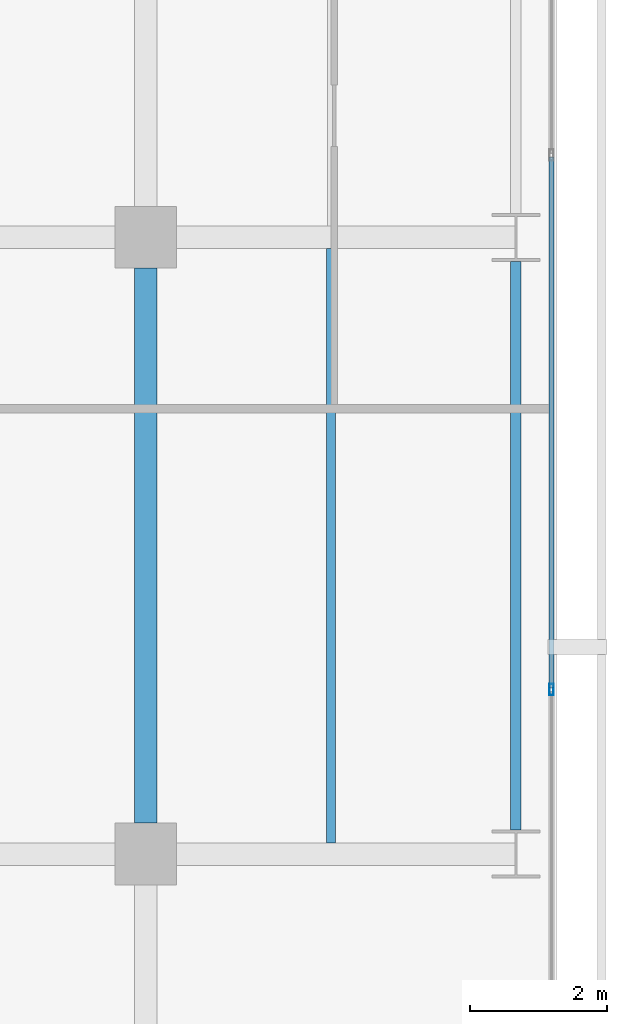
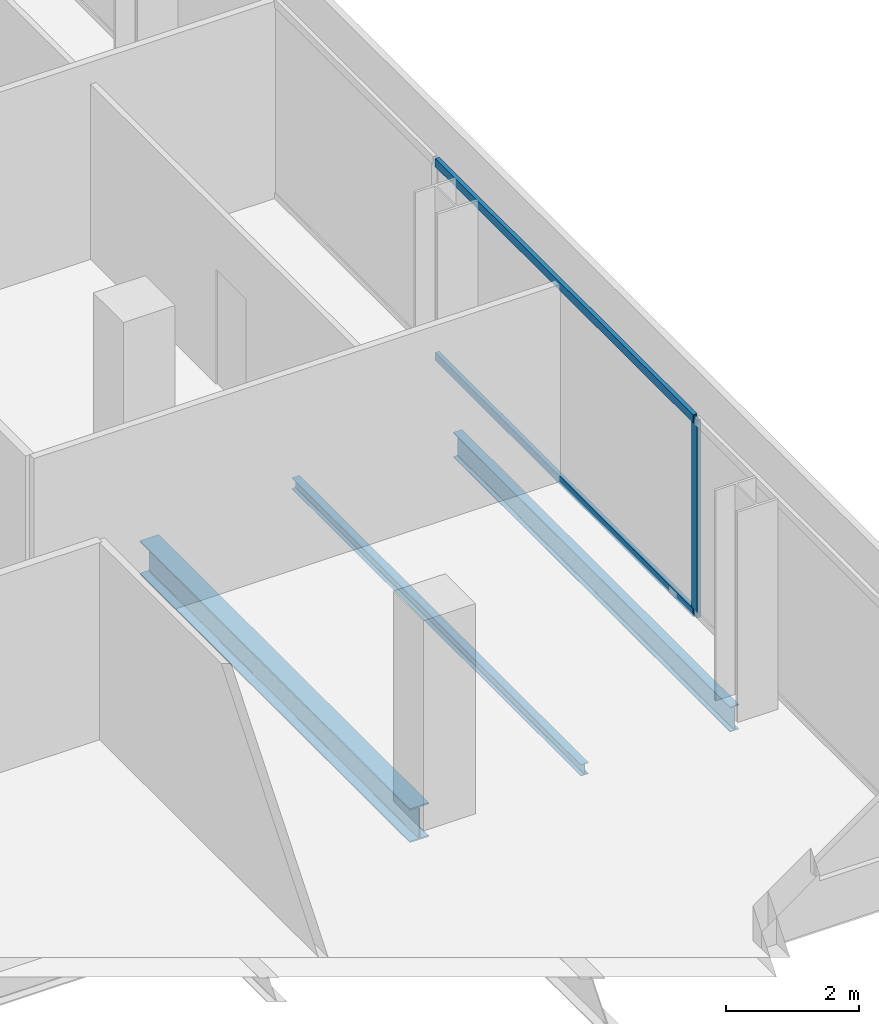
# One storey, part 17 of 40: 3 beams, 3 members, 1 element without a shape of its own.
"""IFC4 building model written with IfcOpenShell, lengths in metres."""

from ifc_helpers import new_model, si_unit, direction, frame, origin, origin_2d, place, context, subcontext, project, spatial, hollow_rectangle, i_section, extrude, material, layer, layer_set, material_profile, profile_set, type_object, element, aggregate, save


model = new_model("IFC4")

# Units and contexts
model_context = context("Model", 3, precision=1e-05, world=origin(), true_north=direction((0.0, 1.0)))
body_context = subcontext(model_context, "Body", "Model", "MODEL_VIEW")
ifc_project = project(units=[si_unit("LENGTHUNIT", "METRE"), si_unit("AREAUNIT", "SQUARE_METRE"), si_unit("VOLUMEUNIT", "CUBIC_METRE"), si_unit("PLANEANGLEUNIT", "RADIAN"), si_unit("MASSUNIT", "GRAM", prefix="KILO")], contexts=[model_context])

# Site, building, storey
site_placement = place(None, origin())
site = spatial("IfcSite", under=ifc_project, at=site_placement, CompositionType="ELEMENT")
building_placement = place(site_placement, origin())
building = spatial("IfcBuilding", under=site, at=building_placement, Name="Maruvema Waterfront Hotel and Observation Tower", CompositionType="ELEMENT")
storey_placement = place(building_placement, frame((0.0, 0.0, 73.14990234375)))
storey = spatial("IfcBuildingStorey", under=building, at=storey_placement, Name="L17", CompositionType="ELEMENT", Elevation=73.14990234375)

# Curtain wall, members
ifc_material_1 = material(Name="Anodised bronze aluminium and solar-control low-E IGU", Category="aluminium")
ifc_layer = layer(ifc_material_1, 0.159912109375, Name="Zone 1 Bronze Inner Thermal Curtain Wall System CW-02")
ifc_layer_set = layer_set([ifc_layer], Name="Anodised bronze aluminium and solar-control low-E IGU")
curtain_wall_type = type_object("IfcCurtainWallType", Name="Zone 1 Bronze Inner Thermal Curtain Wall System CW-02", PredefinedType="USERDEFINED", material=ifc_layer_set)
curtain_wall_placement = place(storey_placement, origin())
curtain_wall = element("IfcCurtainWall", 1, at=curtain_wall_placement, inside=storey, type_object=curtain_wall_type, Name="L17 Curtain Wall CW-L17-E", ObjectType="UNITISED CURTAIN WALL", PredefinedType="USERDEFINED")
ifc_material_2 = material(Name="Anodised architectural bronze aluminium", Category="aluminium")
ifc_material_profile_1 = material_profile(ifc_material_2, hollow_rectangle(XDim=0.070068359375, YDim=0.14990234375, WallThickness=0.00390625, at=origin_2d()), Name="ALU-T70x150")
ifc_profile_set_1 = profile_set([ifc_material_profile_1], Name="Anodised architectural bronze aluminium")
member_type_1 = type_object("IfcMemberType", Name="Curtain Wall Horizontal Transom ALU-T70x150", PredefinedType="USERDEFINED", material=ifc_profile_set_1)
member_1_placement = place(storey_placement, frame((64.719970703125, 11.429931640625, 0.030029296875), z_axis=(0.0, 1.0, 0.0), x_axis=(-1.0, 0.0, 0.0)))
member_1 = element("IfcMember", 2, at=member_1_placement, type_object=member_type_1, Name="CW-02 transom 2.1", ObjectType="TRANSOM", PredefinedType="USERDEFINED", context=body_context, shape_type="SweptSolid", body=[
    extrude(hollow_rectangle(XDim=0.070068359375, YDim=0.14990234375, WallThickness=0.00390625, at=origin_2d()), origin(), (0.0, 0.0, 1.0), 7.739990234375),
])
member_2_placement = place(storey_placement, frame((64.719970703125, 11.429931640625, 3.580078125), z_axis=(0.0, 1.0, 0.0), x_axis=(-1.0, 0.0, 0.0)))
member_2 = element("IfcMember", 3, at=member_2_placement, type_object=member_type_1, Name="CW-02 transom 2.2", ObjectType="TRANSOM", PredefinedType="USERDEFINED", context=body_context, shape_type="SweptSolid", body=[
    extrude(hollow_rectangle(XDim=0.070068359375, YDim=0.14990234375, WallThickness=0.00390625, at=origin_2d()), origin(), (0.0, 0.0, 1.0), 7.739990234375),
])
ifc_material_3 = material(Name="Anodised architectural bronze aluminium", Category="aluminium")
ifc_material_profile_2 = material_profile(ifc_material_3, hollow_rectangle(XDim=0.06494140625, YDim=0.1650390625, WallThickness=0.00390625, at=origin_2d()), Name="ALU-M65x165")
ifc_profile_set_2 = profile_set([ifc_material_profile_2], Name="Anodised architectural bronze aluminium")
member_type_2 = type_object("IfcMemberType", Name="Curtain Wall Primary Mullion ALU-M65x165", PredefinedType="MULLION", material=ifc_profile_set_2)
member_3_placement = place(storey_placement, frame((64.719970703125, 11.39990234375, 0.0), z_axis=(0.0, 0.0, 1.0), x_axis=(-1.0, 0.0, 0.0)))
member_3 = element("IfcMember", 4, at=member_3_placement, type_object=member_type_2, Name="CW-02 mullion 2", PredefinedType="MULLION", context=body_context, shape_type="SweptSolid", body=[
    extrude(hollow_rectangle(XDim=0.06494140625, YDim=0.1650390625, WallThickness=0.00390625, at=origin_2d()), origin(), (0.0, 0.0, 1.0), 3.610107421875),
])
aggregate(curtain_wall, [member_3, member_1, member_2])

# Beams
ifc_material_4 = material(Name="Steel ASTM A572 Grade 50", Category="steel")
ifc_material_profile_3 = material_profile(ifc_material_4, i_section(OverallWidth=0.153076171875, OverallDepth=0.455078125, WebThickness=0.008056640625, FlangeThickness=0.01318359375, FilletRadius=0.014892578125, at=origin_2d()), Name="W460x60.0")
ifc_profile_set_3 = profile_set([ifc_material_profile_3], Name="Steel ASTM A572 Grade 50")
beam_type_1 = type_object("IfcBeamType", Name="Perimeter Spandrel Beam W460x60.0", PredefinedType="SPANDREL", material=ifc_profile_set_3)
beam_1_placement = place(storey_placement, frame((64.199951171875, 9.35009765625, -0.46728515625), z_axis=(0.0, 1.0, 0.0), x_axis=(-1.0, 0.0, 0.0)))
element("IfcBeam", 5, at=beam_1_placement, inside=storey, type_object=beam_type_1, Name="L17 Floor Girder NS-33", PredefinedType="SPANDREL", context=body_context, shape_type="SweptSolid", body=[
    extrude(i_section(OverallWidth=0.153076171875, OverallDepth=0.455078125, WebThickness=0.008056640625, FlangeThickness=0.01318359375, FilletRadius=0.014892578125, at=origin_2d()), origin(), (0.0, 0.0, 1.0), 8.2998046875),
])
ifc_material_5 = material(Name="Steel ASTM A572 Grade 50", Category="steel")
ifc_material_profile_4 = material_profile(ifc_material_5, i_section(OverallWidth=0.326904296875, OverallDepth=0.6220703125, WebThickness=0.015380859375, FlangeThickness=0.0244140625, FilletRadius=0.01806640625, at=origin_2d()), Name="W610x195.0")
ifc_profile_set_4 = profile_set([ifc_material_profile_4], Name="Steel ASTM A572 Grade 50")
beam_type_2 = type_object("IfcBeamType", Name="Primary Floor Girder W610x195.0", PredefinedType="BEAM", material=ifc_profile_set_4)
beam_2_placement = place(storey_placement, frame((58.800048828125, 9.449951171875, -0.55078125), z_axis=(0.0, 1.0, 0.0), x_axis=(-1.0, 0.0, 0.0)))
element("IfcBeam", 6, at=beam_2_placement, inside=storey, type_object=beam_type_2, Name="L17 Floor Girder NS-28", PredefinedType="BEAM", context=body_context, shape_type="SweptSolid", body=[
    extrude(i_section(OverallWidth=0.326904296875, OverallDepth=0.6220703125, WebThickness=0.015380859375, FlangeThickness=0.0244140625, FilletRadius=0.01806640625, at=origin_2d()), origin(), (0.0, 0.0, 1.0), 8.10009765625),
])
ifc_material_6 = material(Name="Steel ASTM A572 Grade 50", Category="steel")
ifc_material_profile_5 = material_profile(ifc_material_6, i_section(OverallWidth=0.133056640625, OverallDepth=0.20703125, WebThickness=0.005859375, FlangeThickness=0.00830078125, FilletRadius=0.010009765625, at=origin_2d()), Name="W200x26.6")
ifc_profile_set_5 = profile_set([ifc_material_profile_5], Name="Steel ASTM A572 Grade 50")
beam_type_3 = type_object("IfcBeamType", Name="Secondary Floor Joist W200x26.6", PredefinedType="JOIST", material=ifc_profile_set_5)
beam_3_placement = place(storey_placement, frame((61.5, 9.16357421875, -0.343505859375), z_axis=(0.0, 1.0, 0.0), x_axis=(-1.0, 0.0, 0.0)))
element("IfcBeam", 7, at=beam_3_placement, inside=storey, type_object=beam_type_3, Name="L17 Secondary Floor Joist JS-21", PredefinedType="JOIST", context=body_context, shape_type="SweptSolid", body=[
    extrude(i_section(OverallWidth=0.133056640625, OverallDepth=0.20703125, WebThickness=0.005859375, FlangeThickness=0.00830078125, FilletRadius=0.010009765625, at=origin_2d()), origin(), (0.0, 0.0, 1.0), 8.6728515625),
])

save(model, "model.ifc")
